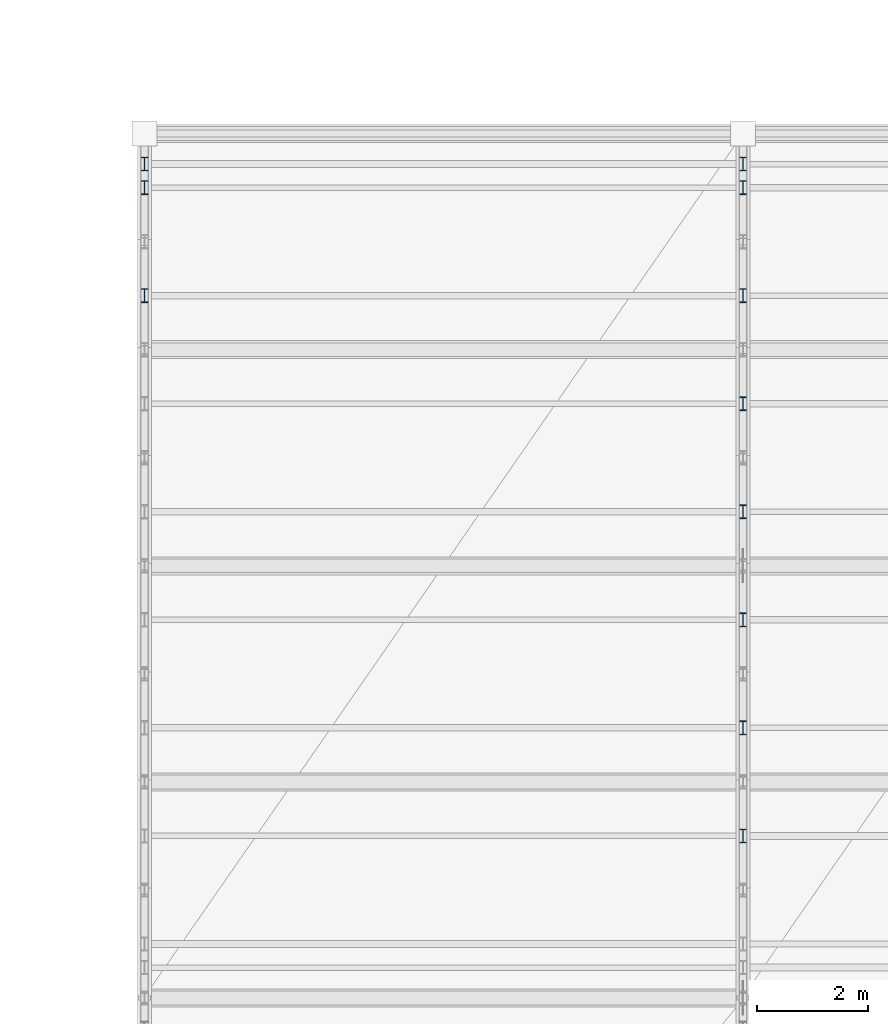
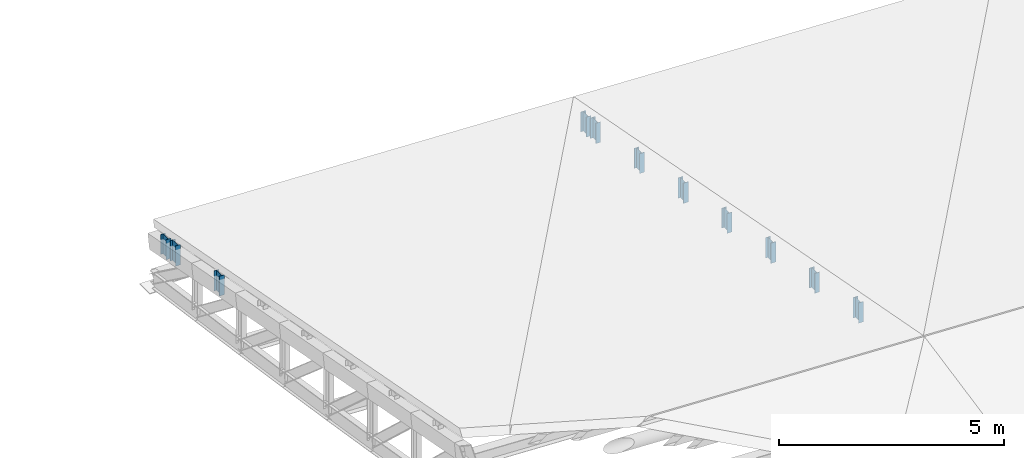
# One storey, part 47 of 89: 11 members.
"""IFC4 building model written with IfcOpenShell, lengths in metres."""

from ifc_helpers import new_model, si_unit, direction, frame, origin, origin_2d, place, context, subcontext, project, spatial, i_section, extrude, material, material_profile, profile_set, type_object, element, save


model = new_model("IFC4")

# Units and contexts
model_context = context("Model", 3, precision=1e-05, world=origin(), true_north=direction((0.0, 1.0)))
body_context = subcontext(model_context, "Body", "Model", "MODEL_VIEW")
ifc_project = project(units=[si_unit("LENGTHUNIT", "METRE"), si_unit("AREAUNIT", "SQUARE_METRE"), si_unit("VOLUMEUNIT", "CUBIC_METRE"), si_unit("PLANEANGLEUNIT", "RADIAN"), si_unit("MASSUNIT", "GRAM", prefix="KILO")], contexts=[model_context])

# Site, building, storey
site_placement = place(None, origin())
site = spatial("IfcSite", under=ifc_project, at=site_placement, CompositionType="ELEMENT")
building_placement = place(site_placement, origin())
building = spatial("IfcBuilding", under=site, at=building_placement, Name="Suirenkawa Promenade Aquatics Centre", CompositionType="ELEMENT")
storey_placement = place(building_placement, frame((0.0, 0.0, 9.60009765625)))
storey = spatial("IfcBuildingStorey", under=building, at=storey_placement, Name="L02", CompositionType="ELEMENT", Elevation=9.60009765625)

# Members
ifc_material = material(Name="Steel IS 2062 E350 (Grade 350)", Category="steel")
ifc_material_profile = material_profile(ifc_material, i_section(OverallWidth=0.125, OverallDepth=0.25, WebThickness=0.007080078125, FlangeThickness=0.012939453125, at=origin_2d()), Name="ISMB 250", Category="steel")
ifc_profile_set = profile_set([ifc_material_profile], Name="Steel IS 2062 E350 (Grade 350)")
member_type = type_object("IfcMemberType", Name="MT-WEB-CHS168", PredefinedType="BRACE", material=ifc_profile_set)
member_1_placement = place(storey_placement, frame((90.0, 16.125, 1.216796875), z_axis=(0.0, 0.0, 1.0), x_axis=(1.0, 0.0, 0.0)))
element("IfcMember", 1, at=member_1_placement, inside=storey, type_object=member_type, Name="ROOF TRUSS Purlin cleat post TD-03 MB-2643", PredefinedType="BRACE", context=body_context, shape_type="SweptSolid", body=[
    extrude(i_section(OverallWidth=0.125, OverallDepth=0.25, WebThickness=0.007080078125, FlangeThickness=0.012939453125, at=origin_2d()), origin(), (0.0, 0.0, 1.0), 0.55322265625),
])
member_2_placement = place(storey_placement, frame((90.0, 18.074951171875, 0.847900390625), z_axis=(0.0, 0.0, 1.0), x_axis=(1.0, 0.0, 0.0)))
element("IfcMember", 2, at=member_2_placement, inside=storey, type_object=member_type, Name="ROOF TRUSS Purlin cleat post TD-03 MB-2646", PredefinedType="BRACE", context=body_context, shape_type="SweptSolid", body=[
    extrude(i_section(OverallWidth=0.125, OverallDepth=0.25, WebThickness=0.007080078125, FlangeThickness=0.012939453125, at=origin_2d()), origin(), (0.0, 0.0, 1.0), 0.541015625),
])
member_3_placement = place(storey_placement, frame((90.0, 20.02490234375, 0.47900390625), z_axis=(0.0, 0.0, 1.0), x_axis=(1.0, 0.0, 0.0)))
element("IfcMember", 3, at=member_3_placement, inside=storey, type_object=member_type, Name="ROOF TRUSS Purlin cleat post TD-03 MB-2649", PredefinedType="BRACE", context=body_context, shape_type="SweptSolid", body=[
    extrude(i_section(OverallWidth=0.125, OverallDepth=0.25, WebThickness=0.007080078125, FlangeThickness=0.012939453125, at=origin_2d()), origin(), (0.0, 0.0, 1.0), 0.552978515625),
])
member_4_placement = place(storey_placement, frame((90.0, 21.97509765625, 0.11083984375), z_axis=(0.0, 0.0, 1.0), x_axis=(1.0, 0.0, 0.0)))
element("IfcMember", 4, at=member_4_placement, inside=storey, type_object=member_type, Name="ROOF TRUSS Purlin cleat post TD-03 MB-2652", PredefinedType="BRACE", context=body_context, shape_type="SweptSolid", body=[
    extrude(i_section(OverallWidth=0.125, OverallDepth=0.25, WebThickness=0.007080078125, FlangeThickness=0.012939453125, at=origin_2d()), origin(), (0.0, 0.0, 1.0), 0.541015625),
])
member_5_placement = place(storey_placement, frame((90.0, 23.925048828125, -0.258056640625), z_axis=(0.0, 0.0, 1.0), x_axis=(1.0, 0.0, 0.0)))
element("IfcMember", 5, at=member_5_placement, inside=storey, type_object=member_type, Name="ROOF TRUSS Purlin cleat post TD-03 MB-2655", PredefinedType="BRACE", context=body_context, shape_type="SweptSolid", body=[
    extrude(i_section(OverallWidth=0.125, OverallDepth=0.25, WebThickness=0.007080078125, FlangeThickness=0.012939453125, at=origin_2d()), origin(), (0.0, 0.0, 1.0), 0.552978515625),
])
for number, where, z_axis, x_axis, name in (
    (6, (79.199951171875, 25.875, -0.177001953125), (0.0, 0.0, 1.0), (1.0, 0.0, 0.0), "ROOF TRUSS Purlin cleat post TD-03 MB-2657"),
    (7, (90.0, 25.875, -0.627197265625), (0.0, 0.0, 1.0), (1.0, 0.0, 0.0), "ROOF TRUSS Purlin cleat post TD-03 MB-2658"),
):
    element("IfcMember", number, at=place(storey_placement, frame(where, z_axis=z_axis, x_axis=x_axis)), inside=storey, type_object=member_type, Name=name, PredefinedType="BRACE", context=body_context, shape_type="SweptSolid", body=[
        extrude(i_section(OverallWidth=0.125, OverallDepth=0.25, WebThickness=0.007080078125, FlangeThickness=0.012939453125, at=origin_2d()), origin(), (0.0, 0.0, 1.0), 0.541015625),
    ])
for number, where, z_axis, x_axis, name in (
    (8, (79.199951171875, 27.824951171875, -0.546142578125), (0.0, 0.0, 1.0), (1.0, 0.0, 0.0), "ROOF TRUSS Purlin cleat post TD-03 MB-2660"),
    (9, (90.0, 27.824951171875, -0.99609375), (0.0, 0.0, 1.0), (1.0, 0.0, 0.0), "ROOF TRUSS Purlin cleat post TD-03 MB-2661"),
):
    element("IfcMember", number, at=place(storey_placement, frame(where, z_axis=z_axis, x_axis=x_axis)), inside=storey, type_object=member_type, Name=name, PredefinedType="BRACE", context=body_context, shape_type="SweptSolid", body=[
        extrude(i_section(OverallWidth=0.125, OverallDepth=0.25, WebThickness=0.007080078125, FlangeThickness=0.012939453125, at=origin_2d()), origin(), (0.0, 0.0, 1.0), 0.552978515625),
    ])
member_6_placement = place(storey_placement, frame((79.199951171875, 28.25, -0.6259765625), z_axis=(0.0, 0.0, 1.0), x_axis=(1.0, 0.0, 0.0)))
element("IfcMember", 10, at=member_6_placement, inside=storey, type_object=member_type, Name="ROOF TRUSS Purlin cleat post TD-03 MB-2663", PredefinedType="BRACE", context=body_context, shape_type="SweptSolid", body=[
    extrude(i_section(OverallWidth=0.125, OverallDepth=0.25, WebThickness=0.007080078125, FlangeThickness=0.012939453125, at=origin_2d()), origin(), (0.0, 0.0, 1.0), 0.540771484375),
])
member_7_placement = place(storey_placement, frame((90.0, 28.25, -1.076171875), z_axis=(0.0, 0.0, 1.0), x_axis=(1.0, 0.0, 0.0)))
element("IfcMember", 11, at=member_7_placement, inside=storey, type_object=member_type, Name="ROOF TRUSS Purlin cleat post TD-03 MB-2664", PredefinedType="BRACE", context=body_context, shape_type="SweptSolid", body=[
    extrude(i_section(OverallWidth=0.125, OverallDepth=0.25, WebThickness=0.007080078125, FlangeThickness=0.012939453125, at=origin_2d()), origin(), (0.0, 0.0, 1.0), 0.541015625),
])

save(model, "model.ifc")
